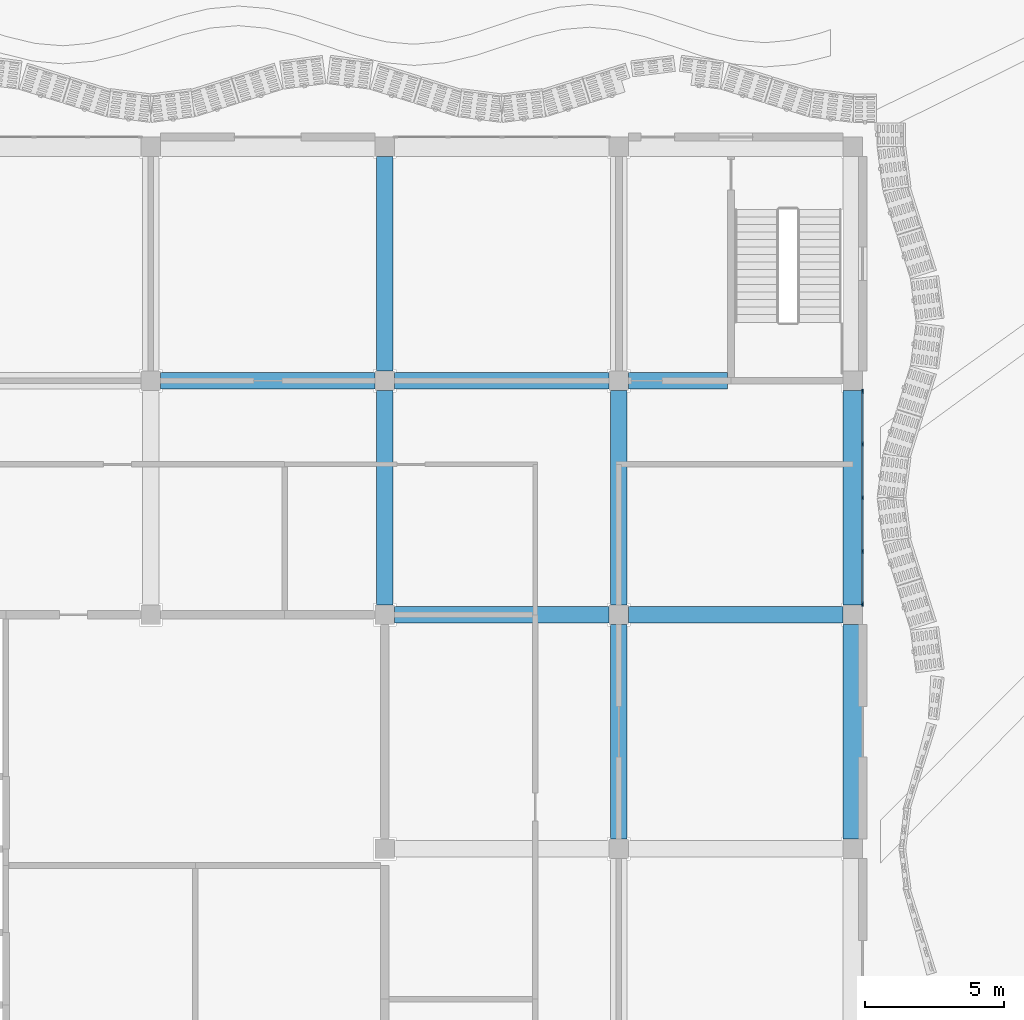
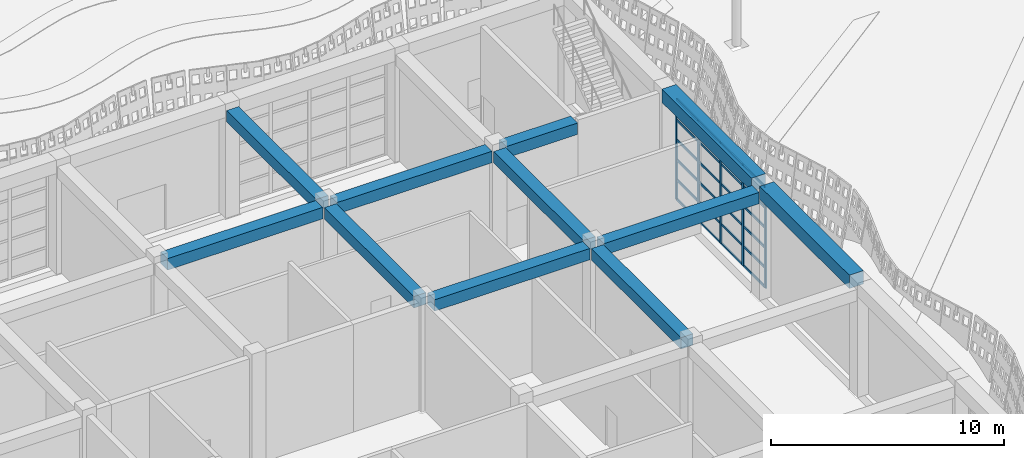
# One storey, part 27 of 210: 29 members, 11 beams, 1 element without a shape of its own.
"""IFC4 building model written with IfcOpenShell, lengths in metres."""

from ifc_helpers import new_model, si_unit, direction, frame, origin, origin_2d, place, context, subcontext, project, spatial, rectangle, extrude, material, material_profile, profile_set, type_object, element, aggregate, save


model = new_model("IFC4")

# Units and contexts
model_context = context("Model", 3, precision=1e-05, world=origin(), true_north=direction((0.0, 1.0)))
body_context = subcontext(model_context, "Body", "Model", "MODEL_VIEW")
ifc_project = project(units=[si_unit("LENGTHUNIT", "METRE"), si_unit("AREAUNIT", "SQUARE_METRE"), si_unit("VOLUMEUNIT", "CUBIC_METRE"), si_unit("PLANEANGLEUNIT", "RADIAN"), si_unit("MASSUNIT", "GRAM", prefix="KILO")], contexts=[model_context])

# Site, building, storey
site_placement = place(None, origin())
site = spatial("IfcSite", under=ifc_project, at=site_placement, CompositionType="ELEMENT")
building_placement = place(site_placement, origin())
building = spatial("IfcBuilding", under=site, at=building_placement, Name="Rain Tree Exposition and Congress Centre", CompositionType="ELEMENT")
storey_placement = place(building_placement, origin())
storey = spatial("IfcBuildingStorey", under=building, at=storey_placement, Name="L00", CompositionType="ELEMENT", Elevation=0.0)

# Beams
ifc_material_1 = material(Name="Precast concrete C50/60", Category="concrete")
ifc_material_profile_1 = material_profile(ifc_material_1, rectangle(XDim=0.60009765625, YDim=0.60009765625, at=origin_2d()), Name="RC 600x600")
ifc_profile_set_1 = profile_set([ifc_material_profile_1], Name="Precast concrete C50/60")
beam_type_1 = type_object("IfcBeamType", Name="Precast beam 600x600", PredefinedType="BEAM", material=ifc_profile_set_1)
for number, where, z_axis, x_axis, name in (
    (1, (33.949951171875, 33.60009765625, 5.35009765625), (1.0, 0.0, 0.0), (0.0, 1.0, 0.0), "wing/beam/L00/L01/045"),
    (2, (33.60009765625, 33.949951171875, 5.35009765625), (0.0, 1.0, 0.0), (-1.0, 0.0, 0.0), "wing/beam/L00/L01/046"),
    (3, (42.35009765625, 33.60009765625, 5.35009765625), (1.0, 0.0, 0.0), (0.0, 1.0, 0.0), "wing/beam/L00/L01/047"),
    (4, (33.60009765625, 42.35009765625, 5.35009765625), (0.0, 1.0, 0.0), (-1.0, 0.0, 0.0), "wing/beam/L00/L01/048"),
    (5, (25.550048828125, 42.0, 5.35009765625), (1.0, 0.0, 0.0), (0.0, 1.0, 0.0), "wing/beam/L00/L01/055"),
    (6, (42.0, 25.550048828125, 5.35009765625), (0.0, 1.0, 0.0), (-1.0, 0.0, 0.0), "wing/beam/L00/L01/056"),
    (7, (33.949951171875, 42.0, 5.35009765625), (1.0, 0.0, 0.0), (0.0, 1.0, 0.0), "wing/beam/L00/L01/057"),
    (8, (42.0, 33.949951171875, 5.35009765625), (0.0, 1.0, 0.0), (-1.0, 0.0, 0.0), "wing/beam/L00/L01/058"),
):
    element("IfcBeam", number, at=place(storey_placement, frame(where, z_axis=z_axis, x_axis=x_axis)), inside=storey, type_object=beam_type_1, Name=name, PredefinedType="BEAM", context=body_context, shape_type="SweptSolid", body=[
        extrude(rectangle(XDim=0.60009765625, YDim=0.60009765625, at=origin_2d()), origin(), (0.0, 0.0, 1.0), 7.699951171875),
    ])
beam_placement = place(storey_placement, frame((42.35009765625, 42.0, 5.35009765625), z_axis=(1.0, 0.0, 0.0), x_axis=(0.0, 1.0, 0.0)))
element("IfcBeam", 9, at=beam_placement, inside=storey, type_object=beam_type_1, Name="wing/beam/L00/L01/059", PredefinedType="BEAM", context=body_context, shape_type="SweptSolid", body=[
    extrude(rectangle(XDim=0.60009765625, YDim=0.60009765625, at=origin_2d()), origin(), (0.0, 0.0, 1.0), 3.5498046875),
])
ifc_material_2 = material(Name="Precast concrete C50/60", Category="concrete")
ifc_material_profile_2 = material_profile(ifc_material_2, rectangle(XDim=0.699951171875, YDim=0.699951171875, at=origin_2d()), Name="RC 700x700")
ifc_profile_set_2 = profile_set([ifc_material_profile_2], Name="Precast concrete C50/60")
beam_type_2 = type_object("IfcBeamType", Name="Precast spandrel beam 700x700", PredefinedType="SPANDREL", material=ifc_profile_set_2)
for number, where, z_axis, x_axis, name in (
    (10, (50.39990234375, 25.550048828125, 5.64990234375), (0.0, 1.0, 0.0), (-1.0, 0.0, 0.0), "wing/beam/L00/L01/068"),
    (11, (50.39990234375, 33.949951171875, 5.64990234375), (0.0, 1.0, 0.0), (-1.0, 0.0, 0.0), "wing/beam/L00/L01/070"),
):
    element("IfcBeam", number, at=place(storey_placement, frame(where, z_axis=z_axis, x_axis=x_axis)), inside=storey, type_object=beam_type_2, Name=name, PredefinedType="SPANDREL", context=body_context, shape_type="SweptSolid", body=[
        extrude(rectangle(XDim=0.699951171875, YDim=0.699951171875, at=origin_2d()), origin(), (0.0, 0.0, 1.0), 7.699951171875),
    ])

# Curtain wall, members
ifc_material_3 = material(Name="Aluminium curtain wall", Category="aluminium")
curtain_wall_type = type_object("IfcCurtainWallType", Name="Wing curtain wall 1925", PredefinedType="NOTDEFINED", material=ifc_material_3)
curtain_wall_placement = place(storey_placement, origin())
curtain_wall = element("IfcCurtainWall", 12, at=curtain_wall_placement, inside=storey, type_object=curtain_wall_type, Name="Curtain wall CWW110", PredefinedType="NOTDEFINED")
ifc_material_4 = material(Name="Aluminium", Category="aluminium")
ifc_material_profile_3 = material_profile(ifc_material_4, rectangle(XDim=0.06005859375, YDim=0.159912109375, at=origin_2d()), Name="Aluminium 60x160")
ifc_profile_set_3 = profile_set([ifc_material_profile_3], Name="Aluminium")
member_type_1 = type_object("IfcMemberType", Name="Wing mullion 60x160", PredefinedType="MULLION", material=ifc_profile_set_3)
member_1_placement = place(storey_placement, frame((50.75, 33.97998046875, 0.0), z_axis=(0.0, 0.0, 1.0), x_axis=(-1.0, 0.0, 0.0)))
member_1 = element("IfcMember", 13, at=member_1_placement, type_object=member_type_1, Name="CWW110 mullion 1", PredefinedType="MULLION", context=body_context, shape_type="SweptSolid", body=[
    extrude(rectangle(XDim=0.06005859375, YDim=0.159912109375, at=origin_2d()), origin(), (0.0, 0.0, 1.0), 5.300048828125),
])
member_2_placement = place(storey_placement, frame((50.75, 35.875, 0.0), z_axis=(0.0, 0.0, 1.0), x_axis=(-1.0, 0.0, 0.0)))
member_2 = element("IfcMember", 14, at=member_2_placement, type_object=member_type_1, Name="CWW110 mullion 2", PredefinedType="MULLION", context=body_context, shape_type="SweptSolid", body=[
    extrude(rectangle(XDim=0.06005859375, YDim=0.159912109375, at=origin_2d()), origin(), (0.0, 0.0, 1.0), 5.300048828125),
])
member_3_placement = place(storey_placement, frame((50.75, 37.800048828125, 0.0), z_axis=(0.0, 0.0, 1.0), x_axis=(-1.0, 0.0, 0.0)))
member_3 = element("IfcMember", 15, at=member_3_placement, type_object=member_type_1, Name="CWW110 mullion 3", PredefinedType="MULLION", context=body_context, shape_type="SweptSolid", body=[
    extrude(rectangle(XDim=0.06005859375, YDim=0.159912109375, at=origin_2d()), origin(), (0.0, 0.0, 1.0), 5.300048828125),
])
member_4_placement = place(storey_placement, frame((50.75, 39.72509765625, 0.0), z_axis=(0.0, 0.0, 1.0), x_axis=(-1.0, 0.0, 0.0)))
member_4 = element("IfcMember", 16, at=member_4_placement, type_object=member_type_1, Name="CWW110 mullion 4", PredefinedType="MULLION", context=body_context, shape_type="SweptSolid", body=[
    extrude(rectangle(XDim=0.06005859375, YDim=0.159912109375, at=origin_2d()), origin(), (0.0, 0.0, 1.0), 5.300048828125),
])
member_5_placement = place(storey_placement, frame((50.75, 41.6201171875, 0.0), z_axis=(0.0, 0.0, 1.0), x_axis=(-1.0, 0.0, 0.0)))
member_5 = element("IfcMember", 17, at=member_5_placement, type_object=member_type_1, Name="CWW110 mullion 5", PredefinedType="MULLION", context=body_context, shape_type="SweptSolid", body=[
    extrude(rectangle(XDim=0.06005859375, YDim=0.159912109375, at=origin_2d()), origin(), (0.0, 0.0, 1.0), 5.300048828125),
])
ifc_material_5 = material(Name="Aluminium", Category="aluminium")
ifc_material_profile_4 = material_profile(ifc_material_5, rectangle(XDim=0.06005859375, YDim=0.1201171875, at=origin_2d()), Name="Aluminium 60x120")
ifc_profile_set_4 = profile_set([ifc_material_profile_4], Name="Aluminium")
member_type_2 = type_object("IfcMemberType", Name="Wing transom 60x120", PredefinedType="USERDEFINED", material=ifc_profile_set_4)
member_6_placement = place(storey_placement, frame((50.75, 34.010009765625, 0.030029296875), z_axis=(0.0, 1.0, 0.0), x_axis=(-1.0, 0.0, 0.0)))
member_6 = element("IfcMember", 18, at=member_6_placement, type_object=member_type_2, Name="CWW110 transom 1.1", ObjectType="TRANSOM", PredefinedType="USERDEFINED", context=body_context, shape_type="SweptSolid", body=[
    extrude(rectangle(XDim=0.06005859375, YDim=0.1201171875, at=origin_2d()), origin(), (0.0, 0.0, 1.0), 1.8349609375),
])
member_7_placement = place(storey_placement, frame((50.75, 34.010009765625, 1.050048828125), z_axis=(0.0, 1.0, 0.0), x_axis=(-1.0, 0.0, 0.0)))
member_7 = element("IfcMember", 19, at=member_7_placement, type_object=member_type_2, Name="CWW110 transom 1.2", ObjectType="TRANSOM", PredefinedType="USERDEFINED", context=body_context, shape_type="SweptSolid", body=[
    extrude(rectangle(XDim=0.06005859375, YDim=0.1201171875, at=origin_2d()), origin(), (0.0, 0.0, 1.0), 1.8349609375),
])
member_8_placement = place(storey_placement, frame((50.75, 34.010009765625, 2.10009765625), z_axis=(0.0, 1.0, 0.0), x_axis=(-1.0, 0.0, 0.0)))
member_8 = element("IfcMember", 20, at=member_8_placement, type_object=member_type_2, Name="CWW110 transom 1.3", ObjectType="TRANSOM", PredefinedType="USERDEFINED", context=body_context, shape_type="SweptSolid", body=[
    extrude(rectangle(XDim=0.06005859375, YDim=0.1201171875, at=origin_2d()), origin(), (0.0, 0.0, 1.0), 1.8349609375),
])
member_9_placement = place(storey_placement, frame((50.75, 34.010009765625, 3.14990234375), z_axis=(0.0, 1.0, 0.0), x_axis=(-1.0, 0.0, 0.0)))
member_9 = element("IfcMember", 21, at=member_9_placement, type_object=member_type_2, Name="CWW110 transom 1.4", ObjectType="TRANSOM", PredefinedType="USERDEFINED", context=body_context, shape_type="SweptSolid", body=[
    extrude(rectangle(XDim=0.06005859375, YDim=0.1201171875, at=origin_2d()), origin(), (0.0, 0.0, 1.0), 1.8349609375),
])
member_10_placement = place(storey_placement, frame((50.75, 34.010009765625, 4.199951171875), z_axis=(0.0, 1.0, 0.0), x_axis=(-1.0, 0.0, 0.0)))
member_10 = element("IfcMember", 22, at=member_10_placement, type_object=member_type_2, Name="CWW110 transom 1.5", ObjectType="TRANSOM", PredefinedType="USERDEFINED", context=body_context, shape_type="SweptSolid", body=[
    extrude(rectangle(XDim=0.06005859375, YDim=0.1201171875, at=origin_2d()), origin(), (0.0, 0.0, 1.0), 1.8349609375),
])
member_11_placement = place(storey_placement, frame((50.75, 34.010009765625, 5.27001953125), z_axis=(0.0, 1.0, 0.0), x_axis=(-1.0, 0.0, 0.0)))
member_11 = element("IfcMember", 23, at=member_11_placement, type_object=member_type_2, Name="CWW110 transom 1.6", ObjectType="TRANSOM", PredefinedType="USERDEFINED", context=body_context, shape_type="SweptSolid", body=[
    extrude(rectangle(XDim=0.06005859375, YDim=0.1201171875, at=origin_2d()), origin(), (0.0, 0.0, 1.0), 1.8349609375),
])
member_12_placement = place(storey_placement, frame((50.75, 35.905029296875, 0.030029296875), z_axis=(0.0, 1.0, 0.0), x_axis=(-1.0, 0.0, 0.0)))
member_12 = element("IfcMember", 24, at=member_12_placement, type_object=member_type_2, Name="CWW110 transom 2.1", ObjectType="TRANSOM", PredefinedType="USERDEFINED", context=body_context, shape_type="SweptSolid", body=[
    extrude(rectangle(XDim=0.06005859375, YDim=0.1201171875, at=origin_2d()), origin(), (0.0, 0.0, 1.0), 1.864990234375),
])
member_13_placement = place(storey_placement, frame((50.75, 35.905029296875, 1.050048828125), z_axis=(0.0, 1.0, 0.0), x_axis=(-1.0, 0.0, 0.0)))
member_13 = element("IfcMember", 25, at=member_13_placement, type_object=member_type_2, Name="CWW110 transom 2.2", ObjectType="TRANSOM", PredefinedType="USERDEFINED", context=body_context, shape_type="SweptSolid", body=[
    extrude(rectangle(XDim=0.06005859375, YDim=0.1201171875, at=origin_2d()), origin(), (0.0, 0.0, 1.0), 1.864990234375),
])
member_14_placement = place(storey_placement, frame((50.75, 35.905029296875, 2.10009765625), z_axis=(0.0, 1.0, 0.0), x_axis=(-1.0, 0.0, 0.0)))
member_14 = element("IfcMember", 26, at=member_14_placement, type_object=member_type_2, Name="CWW110 transom 2.3", ObjectType="TRANSOM", PredefinedType="USERDEFINED", context=body_context, shape_type="SweptSolid", body=[
    extrude(rectangle(XDim=0.06005859375, YDim=0.1201171875, at=origin_2d()), origin(), (0.0, 0.0, 1.0), 1.864990234375),
])
member_15_placement = place(storey_placement, frame((50.75, 35.905029296875, 3.14990234375), z_axis=(0.0, 1.0, 0.0), x_axis=(-1.0, 0.0, 0.0)))
member_15 = element("IfcMember", 27, at=member_15_placement, type_object=member_type_2, Name="CWW110 transom 2.4", ObjectType="TRANSOM", PredefinedType="USERDEFINED", context=body_context, shape_type="SweptSolid", body=[
    extrude(rectangle(XDim=0.06005859375, YDim=0.1201171875, at=origin_2d()), origin(), (0.0, 0.0, 1.0), 1.864990234375),
])
member_16_placement = place(storey_placement, frame((50.75, 35.905029296875, 4.199951171875), z_axis=(0.0, 1.0, 0.0), x_axis=(-1.0, 0.0, 0.0)))
member_16 = element("IfcMember", 28, at=member_16_placement, type_object=member_type_2, Name="CWW110 transom 2.5", ObjectType="TRANSOM", PredefinedType="USERDEFINED", context=body_context, shape_type="SweptSolid", body=[
    extrude(rectangle(XDim=0.06005859375, YDim=0.1201171875, at=origin_2d()), origin(), (0.0, 0.0, 1.0), 1.864990234375),
])
member_17_placement = place(storey_placement, frame((50.75, 35.905029296875, 5.27001953125), z_axis=(0.0, 1.0, 0.0), x_axis=(-1.0, 0.0, 0.0)))
member_17 = element("IfcMember", 29, at=member_17_placement, type_object=member_type_2, Name="CWW110 transom 2.6", ObjectType="TRANSOM", PredefinedType="USERDEFINED", context=body_context, shape_type="SweptSolid", body=[
    extrude(rectangle(XDim=0.06005859375, YDim=0.1201171875, at=origin_2d()), origin(), (0.0, 0.0, 1.0), 1.864990234375),
])
member_18_placement = place(storey_placement, frame((50.75, 37.830078125, 0.030029296875), z_axis=(0.0, 1.0, 0.0), x_axis=(-1.0, 0.0, 0.0)))
member_18 = element("IfcMember", 30, at=member_18_placement, type_object=member_type_2, Name="CWW110 transom 3.1", ObjectType="TRANSOM", PredefinedType="USERDEFINED", context=body_context, shape_type="SweptSolid", body=[
    extrude(rectangle(XDim=0.06005859375, YDim=0.1201171875, at=origin_2d()), origin(), (0.0, 0.0, 1.0), 1.864990234375),
])
member_19_placement = place(storey_placement, frame((50.75, 37.830078125, 1.050048828125), z_axis=(0.0, 1.0, 0.0), x_axis=(-1.0, 0.0, 0.0)))
member_19 = element("IfcMember", 31, at=member_19_placement, type_object=member_type_2, Name="CWW110 transom 3.2", ObjectType="TRANSOM", PredefinedType="USERDEFINED", context=body_context, shape_type="SweptSolid", body=[
    extrude(rectangle(XDim=0.06005859375, YDim=0.1201171875, at=origin_2d()), origin(), (0.0, 0.0, 1.0), 1.864990234375),
])
member_20_placement = place(storey_placement, frame((50.75, 37.830078125, 2.10009765625), z_axis=(0.0, 1.0, 0.0), x_axis=(-1.0, 0.0, 0.0)))
member_20 = element("IfcMember", 32, at=member_20_placement, type_object=member_type_2, Name="CWW110 transom 3.3", ObjectType="TRANSOM", PredefinedType="USERDEFINED", context=body_context, shape_type="SweptSolid", body=[
    extrude(rectangle(XDim=0.06005859375, YDim=0.1201171875, at=origin_2d()), origin(), (0.0, 0.0, 1.0), 1.864990234375),
])
member_21_placement = place(storey_placement, frame((50.75, 37.830078125, 3.14990234375), z_axis=(0.0, 1.0, 0.0), x_axis=(-1.0, 0.0, 0.0)))
member_21 = element("IfcMember", 33, at=member_21_placement, type_object=member_type_2, Name="CWW110 transom 3.4", ObjectType="TRANSOM", PredefinedType="USERDEFINED", context=body_context, shape_type="SweptSolid", body=[
    extrude(rectangle(XDim=0.06005859375, YDim=0.1201171875, at=origin_2d()), origin(), (0.0, 0.0, 1.0), 1.864990234375),
])
member_22_placement = place(storey_placement, frame((50.75, 37.830078125, 4.199951171875), z_axis=(0.0, 1.0, 0.0), x_axis=(-1.0, 0.0, 0.0)))
member_22 = element("IfcMember", 34, at=member_22_placement, type_object=member_type_2, Name="CWW110 transom 3.5", ObjectType="TRANSOM", PredefinedType="USERDEFINED", context=body_context, shape_type="SweptSolid", body=[
    extrude(rectangle(XDim=0.06005859375, YDim=0.1201171875, at=origin_2d()), origin(), (0.0, 0.0, 1.0), 1.864990234375),
])
member_23_placement = place(storey_placement, frame((50.75, 37.830078125, 5.27001953125), z_axis=(0.0, 1.0, 0.0), x_axis=(-1.0, 0.0, 0.0)))
member_23 = element("IfcMember", 35, at=member_23_placement, type_object=member_type_2, Name="CWW110 transom 3.6", ObjectType="TRANSOM", PredefinedType="USERDEFINED", context=body_context, shape_type="SweptSolid", body=[
    extrude(rectangle(XDim=0.06005859375, YDim=0.1201171875, at=origin_2d()), origin(), (0.0, 0.0, 1.0), 1.864990234375),
])
member_24_placement = place(storey_placement, frame((50.75, 39.7548828125, 0.030029296875), z_axis=(0.0, 1.0, 0.0), x_axis=(-1.0, 0.0, 0.0)))
member_24 = element("IfcMember", 36, at=member_24_placement, type_object=member_type_2, Name="CWW110 transom 4.1", ObjectType="TRANSOM", PredefinedType="USERDEFINED", context=body_context, shape_type="SweptSolid", body=[
    extrude(rectangle(XDim=0.06005859375, YDim=0.1201171875, at=origin_2d()), origin(), (0.0, 0.0, 1.0), 1.835205078125),
])
member_25_placement = place(storey_placement, frame((50.75, 39.7548828125, 1.050048828125), z_axis=(0.0, 1.0, 0.0), x_axis=(-1.0, 0.0, 0.0)))
member_25 = element("IfcMember", 37, at=member_25_placement, type_object=member_type_2, Name="CWW110 transom 4.2", ObjectType="TRANSOM", PredefinedType="USERDEFINED", context=body_context, shape_type="SweptSolid", body=[
    extrude(rectangle(XDim=0.06005859375, YDim=0.1201171875, at=origin_2d()), origin(), (0.0, 0.0, 1.0), 1.835205078125),
])
member_26_placement = place(storey_placement, frame((50.75, 39.7548828125, 2.10009765625), z_axis=(0.0, 1.0, 0.0), x_axis=(-1.0, 0.0, 0.0)))
member_26 = element("IfcMember", 38, at=member_26_placement, type_object=member_type_2, Name="CWW110 transom 4.3", ObjectType="TRANSOM", PredefinedType="USERDEFINED", context=body_context, shape_type="SweptSolid", body=[
    extrude(rectangle(XDim=0.06005859375, YDim=0.1201171875, at=origin_2d()), origin(), (0.0, 0.0, 1.0), 1.835205078125),
])
member_27_placement = place(storey_placement, frame((50.75, 39.7548828125, 3.14990234375), z_axis=(0.0, 1.0, 0.0), x_axis=(-1.0, 0.0, 0.0)))
member_27 = element("IfcMember", 39, at=member_27_placement, type_object=member_type_2, Name="CWW110 transom 4.4", ObjectType="TRANSOM", PredefinedType="USERDEFINED", context=body_context, shape_type="SweptSolid", body=[
    extrude(rectangle(XDim=0.06005859375, YDim=0.1201171875, at=origin_2d()), origin(), (0.0, 0.0, 1.0), 1.835205078125),
])
member_28_placement = place(storey_placement, frame((50.75, 39.7548828125, 4.199951171875), z_axis=(0.0, 1.0, 0.0), x_axis=(-1.0, 0.0, 0.0)))
member_28 = element("IfcMember", 40, at=member_28_placement, type_object=member_type_2, Name="CWW110 transom 4.5", ObjectType="TRANSOM", PredefinedType="USERDEFINED", context=body_context, shape_type="SweptSolid", body=[
    extrude(rectangle(XDim=0.06005859375, YDim=0.1201171875, at=origin_2d()), origin(), (0.0, 0.0, 1.0), 1.835205078125),
])
member_29_placement = place(storey_placement, frame((50.75, 39.7548828125, 5.27001953125), z_axis=(0.0, 1.0, 0.0), x_axis=(-1.0, 0.0, 0.0)))
member_29 = element("IfcMember", 41, at=member_29_placement, type_object=member_type_2, Name="CWW110 transom 4.6", ObjectType="TRANSOM", PredefinedType="USERDEFINED", context=body_context, shape_type="SweptSolid", body=[
    extrude(rectangle(XDim=0.06005859375, YDim=0.1201171875, at=origin_2d()), origin(), (0.0, 0.0, 1.0), 1.835205078125),
])
aggregate(curtain_wall, [member_1, member_2, member_3, member_4, member_5, member_6, member_7, member_8, member_9, member_10, member_11, member_12, member_13, member_14, member_15, member_16, member_17, member_18, member_19, member_20, member_21, member_22, member_23, member_24, member_25, member_26, member_27, member_28, member_29])

save(model, "model.ifc")
